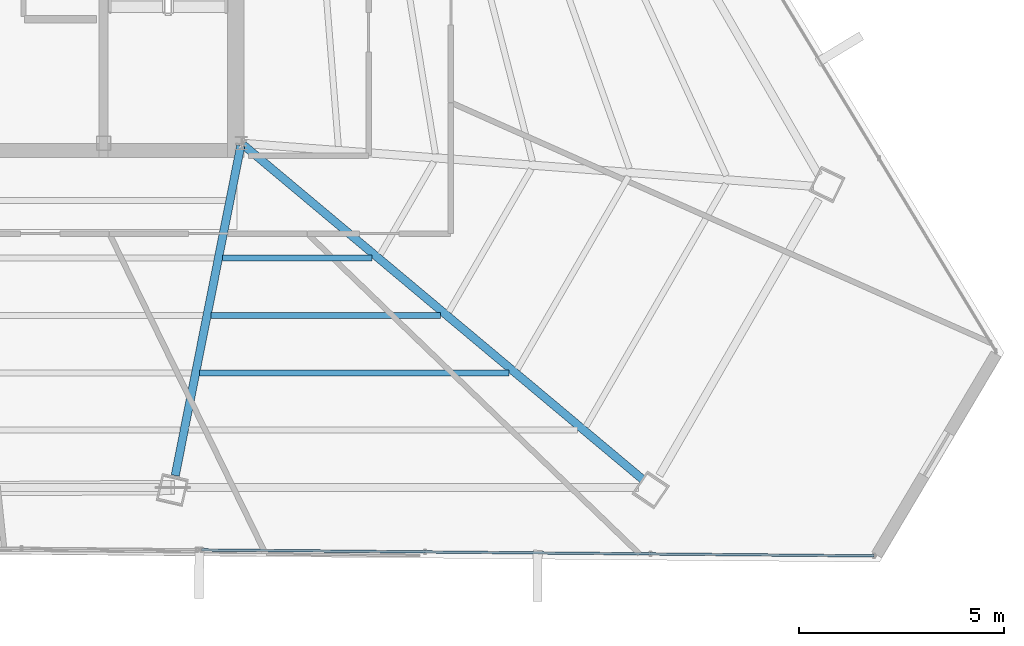
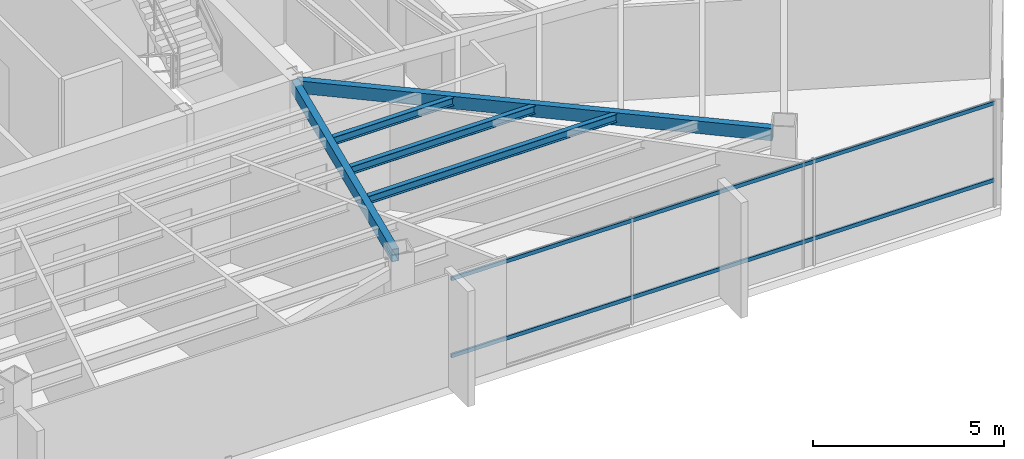
# One storey, part 22 of 46: 5 beams, 2 members, 1 element without a shape of its own.
"""IFC4 building model written with IfcOpenShell, lengths in metres."""

from ifc_helpers import new_model, si_unit, direction, frame, origin, origin_2d, place, context, subcontext, project, spatial, hollow_rectangle, i_section, extrude, source, transform, mapped, material, material_profile, profile_set, type_object, type_shapes, element, aggregate, save


model = new_model("IFC4")

# Units and contexts
model_context = context("Model", 3, precision=1e-05, world=origin(), true_north=direction((0.0, 1.0)))
body_context = subcontext(model_context, "Body", "Model", "MODEL_VIEW")
ifc_project = project(units=[si_unit("LENGTHUNIT", "METRE"), si_unit("AREAUNIT", "SQUARE_METRE"), si_unit("VOLUMEUNIT", "CUBIC_METRE"), si_unit("PLANEANGLEUNIT", "RADIAN"), si_unit("MASSUNIT", "GRAM", prefix="KILO")], contexts=[model_context])

# Site, building, storey
site_placement = place(None, origin())
site = spatial("IfcSite", under=ifc_project, at=site_placement, CompositionType="ELEMENT")
building_placement = place(site_placement, origin())
building = spatial("IfcBuilding", under=site, at=building_placement, Name="Caelisora Broadcast Tower", CompositionType="ELEMENT")
storey_placement = place(building_placement, frame((0.0, 0.0, 237.14990234375)))
storey = spatial("IfcBuildingStorey", under=building, at=storey_placement, Name="L62", CompositionType="ELEMENT", Elevation=237.14990234375)

# Beams
ifc_material_1 = material(Name="Steel Grade 350 (AS/NZS 1163 C350L0)", Category="steel")
ifc_material_profile_1 = material_profile(ifc_material_1, hollow_rectangle(XDim=0.199951171875, YDim=0.39990234375, WallThickness=0.012451171875, at=origin_2d()), Name="Steel Grade 350 (AS/NZS 1163 C350L0)")
ifc_profile_set_1 = profile_set([ifc_material_profile_1], Name="Steel Grade 350 (AS/NZS 1163 C350L0)")
beam_type_1 = type_object("IfcBeamType", Name="PG07", PredefinedType="BEAM", material=ifc_profile_set_1)
shared_shape_1 = source(origin(), body_context, "Body", "SweptSolid", [
    extrude(hollow_rectangle(XDim=0.199951171875, YDim=0.39990234375, WallThickness=0.012451171875, at=origin_2d()), origin(), (0.0, 0.0, 1.0), 12.690185546875),
])
beam_1_placement = place(storey_placement, frame((45.5458984375, 17.361572265625, 3.2001953125), z_axis=(0.766678388112, -0.642031345965, 0.0), x_axis=(0.642031345965, 0.766678388112, 0.0)))
element("IfcBeam", 1, at=beam_1_placement, inside=storey, type_object=beam_type_1, Name="L62 beam PG07", PredefinedType="BEAM", context=body_context, shape_type="MappedRepresentation", body=[
    mapped(shared_shape_1, transform((0.0, 0.0, 0.0), scale=1.0)),
])
shared_shape_2 = source(origin(), body_context, "Body", "SweptSolid", [
    extrude(hollow_rectangle(XDim=0.199951171875, YDim=0.39990234375, WallThickness=0.012451171875, at=origin_2d()), origin(), (0.0, 0.0, 1.0), 8.18310546875),
])
type_shapes(beam_type_1, [shared_shape_1, shared_shape_2])
beam_2_placement = place(storey_placement, frame((45.48828125, 17.34130859375, 3.2001953125), z_axis=(-0.194997219892, -0.980803794974, 0.0), x_axis=(0.980803794974, -0.194997219892, 0.0)))
element("IfcBeam", 2, at=beam_2_placement, inside=storey, type_object=beam_type_1, Name="L62 beam PG07", PredefinedType="BEAM", context=body_context, shape_type="MappedRepresentation", body=[
    mapped(shared_shape_2, transform((0.0, 0.0, 0.0), scale=1.0)),
])
ifc_material_2 = material(Name="Steel Grade 350 (AS/NZS 3679.1)", Category="steel")
ifc_material_profile_2 = material_profile(ifc_material_2, i_section(OverallWidth=0.14599609375, OverallDepth=0.256103515625, WebThickness=0.00634765625, FlangeThickness=0.010986328125, at=origin_2d()), Name="Steel Grade 350 (AS/NZS 3679.1)")
ifc_profile_set_2 = profile_set([ifc_material_profile_2], Name="Steel Grade 350 (AS/NZS 3679.1)")
beam_type_2 = type_object("IfcBeamType", Name="SB04", PredefinedType="JOIST", material=ifc_profile_set_2)
shared_shape_3 = source(origin(), body_context, "Body", "SweptSolid", [
    extrude(i_section(OverallWidth=0.14599609375, OverallDepth=0.256103515625, WebThickness=0.00634765625, FlangeThickness=0.010986328125, at=origin_2d()), origin(), (0.0, 0.0, 1.0), 3.637939453125),
])
beam_3_placement = place(storey_placement, frame((45.0439453125, 14.607666015625, 3.27197265625), z_axis=(1.0, 0.0, 0.0), x_axis=(0.0, 1.0, 0.0)))
element("IfcBeam", 3, at=beam_3_placement, inside=storey, type_object=beam_type_2, Name="L62 beam SB04", PredefinedType="JOIST", context=body_context, shape_type="MappedRepresentation", body=[
    mapped(shared_shape_3, transform((0.0, 0.0, 0.0), scale=1.0)),
])
shared_shape_4 = source(origin(), body_context, "Body", "SweptSolid", [
    extrude(i_section(OverallWidth=0.14599609375, OverallDepth=0.256103515625, WebThickness=0.00634765625, FlangeThickness=0.010986328125, at=origin_2d()), origin(), (0.0, 0.0, 1.0), 5.582763671875),
])
beam_4_placement = place(storey_placement, frame((44.766357421875, 13.21142578125, 3.27197265625), z_axis=(1.0, 0.0, 0.0), x_axis=(0.0, 1.0, 0.0)))
element("IfcBeam", 4, at=beam_4_placement, inside=storey, type_object=beam_type_2, Name="L62 beam SB04", PredefinedType="JOIST", context=body_context, shape_type="MappedRepresentation", body=[
    mapped(shared_shape_4, transform((0.0, 0.0, 0.0), scale=1.0)),
])
shared_shape_5 = source(origin(), body_context, "Body", "SweptSolid", [
    extrude(i_section(OverallWidth=0.14599609375, OverallDepth=0.256103515625, WebThickness=0.00634765625, FlangeThickness=0.010986328125, at=origin_2d()), origin(), (0.0, 0.0, 1.0), 7.527587890625),
])
type_shapes(beam_type_2, [shared_shape_3, shared_shape_4, shared_shape_5])
beam_5_placement = place(storey_placement, frame((44.48876953125, 11.815185546875, 3.27197265625), z_axis=(1.0, 0.0, 0.0), x_axis=(0.0, 1.0, 0.0)))
element("IfcBeam", 5, at=beam_5_placement, inside=storey, type_object=beam_type_2, Name="L62 beam SB04", PredefinedType="JOIST", context=body_context, shape_type="MappedRepresentation", body=[
    mapped(shared_shape_5, transform((0.0, 0.0, 0.0), scale=1.0)),
])

# Curtain wall, members
ifc_material_3 = material(Name="Unitised Aluminium and Low-E Glass Curtain Wall", Category="glass")
curtain_wall_type = type_object("IfcCurtainWallType", Name="CW-Z5", PredefinedType="NOTDEFINED", material=ifc_material_3)
curtain_wall_placement = place(storey_placement, origin())
curtain_wall = element("IfcCurtainWall", 6, at=curtain_wall_placement, inside=storey, type_object=curtain_wall_type, Name="L62 curtain wall CW-Z5", PredefinedType="NOTDEFINED")
ifc_material_4 = material(Name="Aluminium 6063-T6 Anodised Terracotta Bronze", Category="aluminium")
ifc_material_profile_3 = material_profile(ifc_material_4, hollow_rectangle(XDim=0.06005859375, YDim=0.1201171875, WallThickness=0.0029296875, at=origin_2d()), Name="Aluminium 6063-T6 Anodised Terracotta Bronze")
ifc_profile_set_3 = profile_set([ifc_material_profile_3], Name="Aluminium 6063-T6 Anodised Terracotta Bronze")
member_type = type_object("IfcMemberType", Name="CWT-03", PredefinedType="USERDEFINED", material=ifc_profile_set_3)
shared_shape_6 = source(origin(), body_context, "Body", "SweptSolid", [
    extrude(hollow_rectangle(XDim=0.06005859375, YDim=0.1201171875, WallThickness=0.0029296875, at=origin_2d()), origin(), (0.0, 0.0, 1.0), 16.3642578125),
])
type_shapes(member_type, [shared_shape_6])
member_1_placement = place(storey_placement, frame((60.89892578125, 7.357421875, 0.85009765625), z_axis=(-0.999960067731, 0.008936606946, 0.0), x_axis=(-0.008936606946, -0.999960067731, 0.0)))
member_1 = element("IfcMember", 7, at=member_1_placement, type_object=member_type, Name="L62-CW-B05 transom #1", ObjectType="TRANSOM", PredefinedType="USERDEFINED", context=body_context, shape_type="MappedRepresentation", body=[
    mapped(shared_shape_6, transform((0.0, 0.0, 0.0), scale=1.0)),
])
member_2_placement = place(storey_placement, frame((60.89892578125, 7.357421875, 3.320068359375), z_axis=(-0.999960067731, 0.008936606946, 0.0), x_axis=(-0.008936606946, -0.999960067731, 0.0)))
member_2 = element("IfcMember", 8, at=member_2_placement, type_object=member_type, Name="L62-CW-B05 transom #2", ObjectType="TRANSOM", PredefinedType="USERDEFINED", context=body_context, shape_type="MappedRepresentation", body=[
    mapped(shared_shape_6, transform((0.0, 0.0, 0.0), scale=1.0)),
])
aggregate(curtain_wall, [member_1, member_2])

save(model, "model.ifc")
